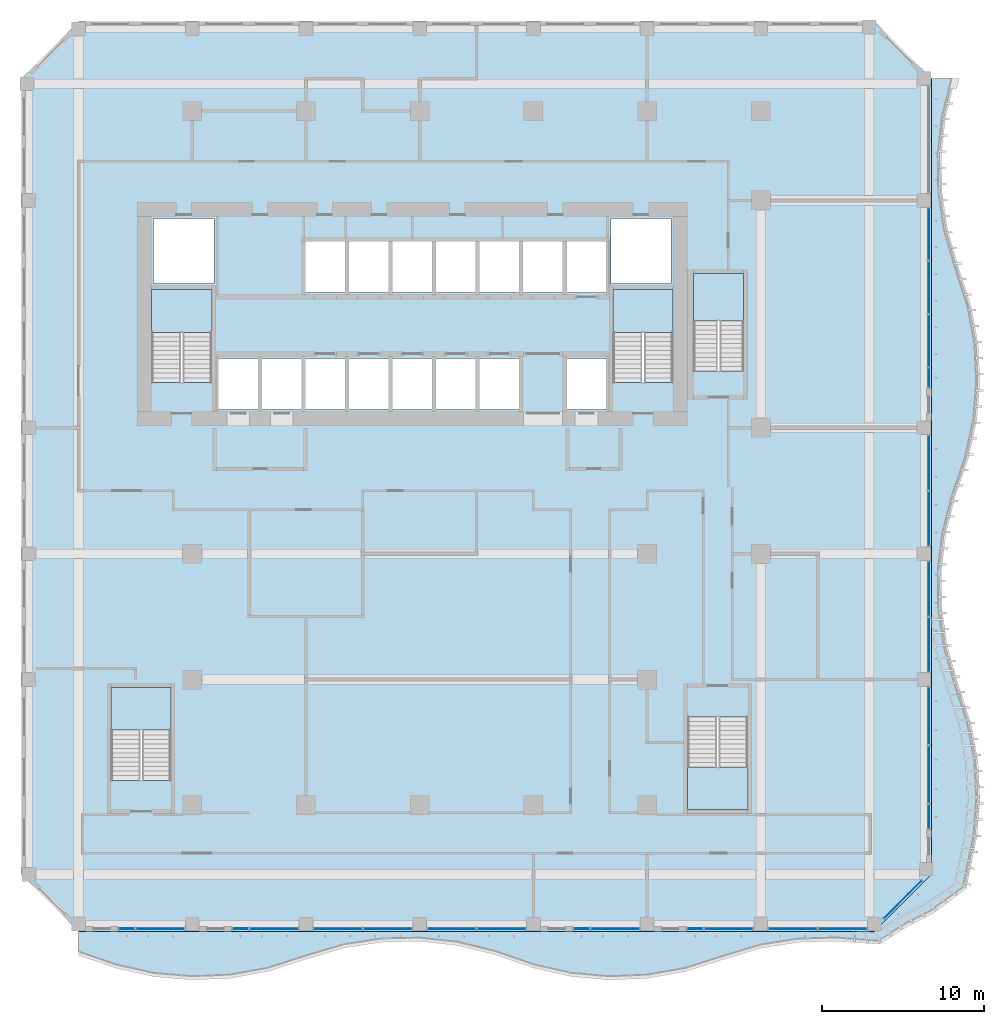
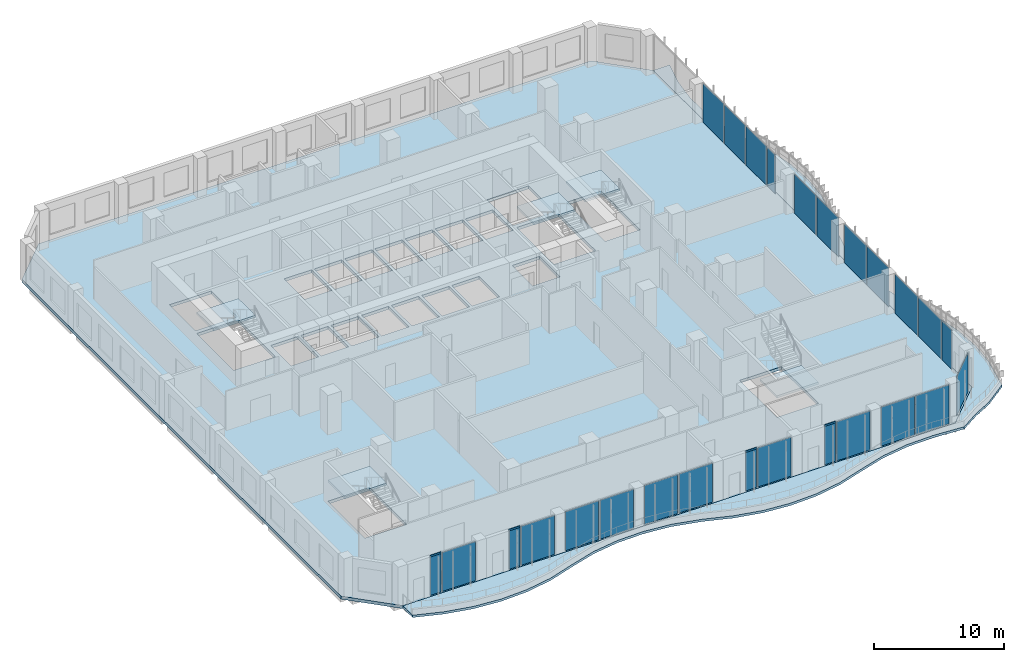
# One storey, part 11 of 26: 26 plates, 7 slabs, 4 members, 31 elements without a shape of their own.
"""IFC4 building model written with IfcOpenShell, lengths in metres."""

from ifc_helpers import new_model, si_unit, direction, frame, origin, origin_2d, place, context, subcontext, project, spatial, polyline, rectangle, outline, extrude, source, transform, mapped, material, layer, layer_set, material_profile, profile_set, type_object, element, aggregate, save


model = new_model("IFC4")

# Units and contexts
model_context = context("Model", 3, precision=1e-05, world=origin(), true_north=direction((0.0, 1.0)))
body_context = subcontext(model_context, "Body", "Model", "MODEL_VIEW")
ifc_project = project(units=[si_unit("LENGTHUNIT", "METRE"), si_unit("AREAUNIT", "SQUARE_METRE"), si_unit("VOLUMEUNIT", "CUBIC_METRE"), si_unit("PLANEANGLEUNIT", "RADIAN"), si_unit("MASSUNIT", "GRAM", prefix="KILO")], contexts=[model_context])

# Site, building, storey
site_placement = place(None, origin())
site = spatial("IfcSite", under=ifc_project, at=site_placement, CompositionType="ELEMENT")
building_placement = place(site_placement, origin())
building = spatial("IfcBuilding", under=site, at=building_placement, Name="Kilnfold Tower and Market Hall", CompositionType="ELEMENT")
storey_placement = place(building_placement, frame((0.0, 0.0, 104.60009765625)))
storey = spatial("IfcBuildingStorey", under=building, at=storey_placement, Name="L24", CompositionType="ELEMENT", Elevation=104.60009765625)

# Curtain wall, member
ifc_material_1 = material(Name="Aluminium and double glazing", Category="aluminium")
curtain_wall_type = type_object("IfcCurtainWallType", Name="CW OF2 VALLEY GLAZING", PredefinedType="NOTDEFINED", material=ifc_material_1)
curtain_wall_1_placement = place(storey_placement, origin())
curtain_wall_1 = element("IfcCurtainWall", 1, at=curtain_wall_1_placement, inside=storey, type_object=curtain_wall_type, Name="Curtain wall CW2 L24 S", PredefinedType="NOTDEFINED")
ifc_material_2 = material(Name="Aluminium", Category="aluminium")
ifc_material_profile = material_profile(ifc_material_2, rectangle(XDim=0.06005859375, YDim=0.159912109375, at=origin_2d()), Name="TRANSOM 60x160")
ifc_profile_set = profile_set([ifc_material_profile], Name="Aluminium")
member_type = type_object("IfcMemberType", Name="TRANSOM 60X160", PredefinedType="USERDEFINED", material=ifc_profile_set)
shared_shape_1 = source(origin(), body_context, "Body", "SweptSolid", [
    extrude(rectangle(XDim=0.06005859375, YDim=0.159912109375, at=origin_2d()), origin(), (0.0, 0.0, 1.0), 0.954833984375),
])
member_1_placement = place(storey_placement, frame((-17.014892578125, -22.85009765625, 3.68994140625), z_axis=(1.0, 0.0, 0.0), x_axis=(0.0, 1.0, 0.0)))
member_1 = element("IfcMember", 2, at=member_1_placement, type_object=member_type, Name="CW2 transom 1.2", ObjectType="TRANSOM", PredefinedType="USERDEFINED", context=body_context, shape_type="MappedRepresentation", body=[
    mapped(shared_shape_1, transform((0.0, 0.0, 0.0))),
])

curtain_wall_2_placement = place(storey_placement, origin())
curtain_wall_2 = element("IfcCurtainWall", 3, at=curtain_wall_2_placement, inside=storey, type_object=curtain_wall_type, Name="Curtain wall CW2 L24 S", PredefinedType="NOTDEFINED")
member_2_placement = place(storey_placement, frame((-10.014892578125, -22.85009765625, 3.68994140625), z_axis=(1.0, 0.0, 0.0), x_axis=(0.0, 1.0, 0.0)))
member_2 = element("IfcMember", 4, at=member_2_placement, type_object=member_type, Name="CW2 transom 1.2", ObjectType="TRANSOM", PredefinedType="USERDEFINED", context=body_context, shape_type="MappedRepresentation", body=[
    mapped(shared_shape_1, transform((0.0, 0.0, 0.0))),
])

curtain_wall_3_placement = place(storey_placement, origin())
curtain_wall_3 = element("IfcCurtainWall", 5, at=curtain_wall_3_placement, inside=storey, type_object=curtain_wall_type, Name="Curtain wall CW2 L24 S", PredefinedType="NOTDEFINED")
member_3_placement = place(storey_placement, frame((10.985107421875, -22.85009765625, 3.68994140625), z_axis=(1.0, 0.0, 0.0), x_axis=(0.0, 1.0, 0.0)))
member_3 = element("IfcMember", 6, at=member_3_placement, type_object=member_type, Name="CW2 transom 1.2", ObjectType="TRANSOM", PredefinedType="USERDEFINED", context=body_context, shape_type="MappedRepresentation", body=[
    mapped(shared_shape_1, transform((0.0, 0.0, 0.0))),
])

curtain_wall_4_placement = place(storey_placement, origin())
curtain_wall_4 = element("IfcCurtainWall", 7, at=curtain_wall_4_placement, inside=storey, type_object=curtain_wall_type, Name="Curtain wall CW2 L24 S", PredefinedType="NOTDEFINED")
member_4_placement = place(storey_placement, frame((17.985107421875, -22.85009765625, 3.68994140625), z_axis=(1.0, 0.0, 0.0), x_axis=(0.0, 1.0, 0.0)))
member_4 = element("IfcMember", 8, at=member_4_placement, type_object=member_type, Name="CW2 transom 1.2", ObjectType="TRANSOM", PredefinedType="USERDEFINED", context=body_context, shape_type="MappedRepresentation", body=[
    mapped(shared_shape_1, transform((0.0, 0.0, 0.0))),
])

# Slab
ifc_material_3 = material(Name="Concrete C45", Category="concrete")
ifc_layer_1 = layer(ifc_material_3, 0.280029296875)
ifc_layer_set_1 = layer_set([ifc_layer_1], Name="Concrete C45")
slab_type_1 = type_object("IfcSlabType", Name="FLOOR SLAB 280", PredefinedType="FLOOR", material=ifc_layer_set_1)
shared_shape_2 = source(origin(), body_context, "Body", "SweptSolid", [
    extrude(outline(polyline([(-19.5, -23.0), (29.5, -23.0), (33.0, -19.5), (33.0, 29.5), (29.5, 33.0), (-19.5, 33.0), (-23.0, 29.5), (-23.0, -19.5), (-19.5, -23.0)]), holes=[polyline([(-13.800537109375, -13.699462890625), (-17.49951171875, -13.699462890625), (-17.49951171875, -8.00048828125), (-13.800537109375, -8.00048828125), (-13.800537109375, -13.699462890625)]), polyline([(-14.99951171875, 10.800537109375), (-14.99951171875, 16.49951171875), (-11.300537109375, 16.49951171875), (-11.300537109375, 10.800537109375), (-14.99951171875, 10.800537109375)]), polyline([(-14.875, 16.875), (-14.875, 20.875), (-11.175048828125, 20.875), (-11.175048828125, 16.875), (-14.875, 16.875)]), polyline([(-8.455078125, 9.125), (-10.885009765625, 9.125), (-10.885009765625, 12.27490234375), (-8.455078125, 12.27490234375), (-8.455078125, 9.125)]), polyline([(-5.77490234375, 9.125), (-8.205078125, 9.125), (-8.205078125, 12.27490234375), (-5.77490234375, 12.27490234375), (-5.77490234375, 9.125)]), polyline([(-5.52490234375, 9.125), (-5.52490234375, 12.27490234375), (-3.094970703125, 12.27490234375), (-3.094970703125, 9.125), (-5.52490234375, 9.125)]), polyline([(-5.52490234375, 16.324951171875), (-5.52490234375, 19.47509765625), (-3.094970703125, 19.47509765625), (-3.094970703125, 16.324951171875), (-5.52490234375, 16.324951171875)]), polyline([(-2.844970703125, 9.125), (-2.844970703125, 12.27490234375), (-0.4150390625, 12.27490234375), (-0.4150390625, 9.125), (-2.844970703125, 9.125)]), polyline([(-0.4150390625, 16.324951171875), (-2.844970703125, 16.324951171875), (-2.844970703125, 19.47509765625), (-0.4150390625, 19.47509765625), (-0.4150390625, 16.324951171875)]), polyline([(2.264892578125, 9.125), (-0.1650390625, 9.125), (-0.1650390625, 12.27490234375), (2.264892578125, 12.27490234375), (2.264892578125, 9.125)]), polyline([(-0.1650390625, 16.324951171875), (-0.1650390625, 19.47509765625), (2.264892578125, 19.47509765625), (2.264892578125, 16.324951171875), (-0.1650390625, 16.324951171875)]), polyline([(4.945068359375, 9.125), (2.514892578125, 9.125), (2.514892578125, 12.27490234375), (4.945068359375, 12.27490234375), (4.945068359375, 9.125)]), polyline([(2.514892578125, 16.324951171875), (2.514892578125, 19.47509765625), (4.945068359375, 19.47509765625), (4.945068359375, 16.324951171875), (2.514892578125, 16.324951171875)]), polyline([(7.625, 9.125), (5.195068359375, 9.125), (5.195068359375, 12.27490234375), (7.625, 12.27490234375), (7.625, 9.125)]), polyline([(5.195068359375, 16.324951171875), (5.195068359375, 19.47509765625), (7.625, 19.47509765625), (7.625, 16.324951171875), (5.195068359375, 16.324951171875)]), polyline([(10.304931640625, 16.324951171875), (7.875, 16.324951171875), (7.875, 19.47509765625), (10.304931640625, 19.47509765625), (10.304931640625, 16.324951171875)]), polyline([(10.554931640625, 9.125), (10.554931640625, 12.27490234375), (12.985107421875, 12.27490234375), (12.985107421875, 9.125), (10.554931640625, 9.125)]), polyline([(10.554931640625, 16.324951171875), (10.554931640625, 19.47509765625), (12.985107421875, 19.47509765625), (12.985107421875, 16.324951171875), (10.554931640625, 16.324951171875)]), polyline([(13.27490234375, 16.875), (13.27490234375, 20.875), (16.97509765625, 20.875), (16.97509765625, 16.875), (13.27490234375, 16.875)]), polyline([(13.400390625, 10.800537109375), (13.400390625, 16.49951171875), (17.099609375, 16.49951171875), (17.099609375, 10.800537109375), (13.400390625, 10.800537109375)]), polyline([(18.00048828125, -9.800537109375), (21.699462890625, -9.800537109375), (21.699462890625, -15.49951171875), (18.00048828125, -15.49951171875), (18.00048828125, -9.800537109375)]), polyline([(21.449462890625, 11.50048828125), (18.3505859375, 11.50048828125), (18.3505859375, 17.49951171875), (21.449462890625, 17.49951171875), (21.449462890625, 11.50048828125)])]), origin(), (0.0, 0.0, 1.0), 0.280029296875),
])
slab_1_placement = place(storey_placement, frame((0.0, 0.0, -0.280029296875)))
element("IfcSlab", 9, at=slab_1_placement, inside=storey, type_object=slab_type_1, Name="Floor slab L24", PredefinedType="FLOOR", context=body_context, shape_type="MappedRepresentation", body=[
    mapped(shared_shape_2, transform((0.0, 0.0, 0.0))),
])

# Plate
ifc_material_4 = material(Name="Double glazed unit")
ifc_layer_2 = layer(ifc_material_4, 0.031982421875)
ifc_layer_set_2 = layer_set([ifc_layer_2], Name="Double glazed unit")
plate_type = type_object("IfcPlateType", Name="GLAZING PANEL 32", PredefinedType="CURTAIN_PANEL", material=ifc_layer_set_2)
shared_shape_3 = source(origin(), body_context, "Body", "SweptSolid", [
    extrude(rectangle(XDim=0.955078125, YDim=0.031982421875, at=origin_2d()), origin(), (0.0, 0.0, 1.0), 3.659912109375),
])
plate_1_placement = place(storey_placement, frame((-16.53759765625, -22.85009765625, 0.0), z_axis=(0.0, 0.0, 1.0), x_axis=(1.0, 0.0, 0.0)))
plate_1 = element("IfcPlate", 10, at=plate_1_placement, type_object=plate_type, Name="CW2 panel 1.1", PredefinedType="CURTAIN_PANEL", context=body_context, shape_type="MappedRepresentation", body=[
    mapped(shared_shape_3, transform((0.0, 0.0, 0.0))),
])

aggregate(curtain_wall_1, [member_1, plate_1])

plate_2_placement = place(storey_placement, frame((-9.53759765625, -22.85009765625, 0.0), z_axis=(0.0, 0.0, 1.0), x_axis=(1.0, 0.0, 0.0)))
plate_2 = element("IfcPlate", 11, at=plate_2_placement, type_object=plate_type, Name="CW2 panel 1.1", PredefinedType="CURTAIN_PANEL", context=body_context, shape_type="MappedRepresentation", body=[
    mapped(shared_shape_3, transform((0.0, 0.0, 0.0))),
])

aggregate(curtain_wall_2, [member_2, plate_2])

plate_3_placement = place(storey_placement, frame((11.46240234375, -22.85009765625, 0.0), z_axis=(0.0, 0.0, 1.0), x_axis=(1.0, 0.0, 0.0)))
plate_3 = element("IfcPlate", 12, at=plate_3_placement, type_object=plate_type, Name="CW2 panel 1.1", PredefinedType="CURTAIN_PANEL", context=body_context, shape_type="MappedRepresentation", body=[
    mapped(shared_shape_3, transform((0.0, 0.0, 0.0))),
])

aggregate(curtain_wall_3, [member_3, plate_3])

plate_4_placement = place(storey_placement, frame((18.46240234375, -22.85009765625, 0.0), z_axis=(0.0, 0.0, 1.0), x_axis=(1.0, 0.0, 0.0)))
plate_4 = element("IfcPlate", 13, at=plate_4_placement, type_object=plate_type, Name="CW2 panel 1.1", PredefinedType="CURTAIN_PANEL", context=body_context, shape_type="MappedRepresentation", body=[
    mapped(shared_shape_3, transform((0.0, 0.0, 0.0))),
])

aggregate(curtain_wall_4, [member_4, plate_4])

# Curtain wall, plate
curtain_wall_5_placement = place(storey_placement, origin())
curtain_wall_5 = element("IfcCurtainWall", 14, at=curtain_wall_5_placement, inside=storey, type_object=curtain_wall_type, Name="Curtain wall CW2 L24 S", PredefinedType="NOTDEFINED")
shared_shape_4 = source(origin(), body_context, "Body", "SweptSolid", [
    extrude(rectangle(XDim=2.955078125, YDim=0.031982421875, at=origin_2d()), origin(), (0.0, 0.0, 1.0), 3.659912109375),
])
plate_5_placement = place(storey_placement, frame((-14.46240234375, -22.85009765625, 0.0), z_axis=(0.0, 0.0, 1.0), x_axis=(1.0, 0.0, 0.0)))
plate_5 = element("IfcPlate", 15, at=plate_5_placement, type_object=plate_type, Name="CW2 panel 1.1", PredefinedType="CURTAIN_PANEL", context=body_context, shape_type="MappedRepresentation", body=[
    mapped(shared_shape_4, transform((0.0, 0.0, 0.0))),
])
aggregate(curtain_wall_5, [plate_5])

curtain_wall_6_placement = place(storey_placement, origin())
curtain_wall_6 = element("IfcCurtainWall", 16, at=curtain_wall_6_placement, inside=storey, type_object=curtain_wall_type, Name="Curtain wall CW2 L24 S", PredefinedType="NOTDEFINED")
plate_6_placement = place(storey_placement, frame((-7.46240234375, -22.85009765625, 0.0), z_axis=(0.0, 0.0, 1.0), x_axis=(1.0, 0.0, 0.0)))
plate_6 = element("IfcPlate", 17, at=plate_6_placement, type_object=plate_type, Name="CW2 panel 1.1", PredefinedType="CURTAIN_PANEL", context=body_context, shape_type="MappedRepresentation", body=[
    mapped(shared_shape_4, transform((0.0, 0.0, 0.0))),
])
aggregate(curtain_wall_6, [plate_6])

curtain_wall_7_placement = place(storey_placement, origin())
curtain_wall_7 = element("IfcCurtainWall", 18, at=curtain_wall_7_placement, inside=storey, type_object=curtain_wall_type, Name="Curtain wall CW2 L24 S", PredefinedType="NOTDEFINED")
plate_7_placement = place(storey_placement, frame((-3.53759765625, -22.85009765625, 0.0), z_axis=(0.0, 0.0, 1.0), x_axis=(1.0, 0.0, 0.0)))
plate_7 = element("IfcPlate", 19, at=plate_7_placement, type_object=plate_type, Name="CW2 panel 1.1", PredefinedType="CURTAIN_PANEL", context=body_context, shape_type="MappedRepresentation", body=[
    mapped(shared_shape_4, transform((0.0, 0.0, 0.0))),
])
aggregate(curtain_wall_7, [plate_7])

curtain_wall_8_placement = place(storey_placement, origin())
curtain_wall_8 = element("IfcCurtainWall", 20, at=curtain_wall_8_placement, inside=storey, type_object=curtain_wall_type, Name="Curtain wall CW2 L24 S", PredefinedType="NOTDEFINED")
plate_8_placement = place(storey_placement, frame((-0.46240234375, -22.85009765625, 0.0), z_axis=(0.0, 0.0, 1.0), x_axis=(1.0, 0.0, 0.0)))
plate_8 = element("IfcPlate", 21, at=plate_8_placement, type_object=plate_type, Name="CW2 panel 1.1", PredefinedType="CURTAIN_PANEL", context=body_context, shape_type="MappedRepresentation", body=[
    mapped(shared_shape_4, transform((0.0, 0.0, 0.0))),
])
aggregate(curtain_wall_8, [plate_8])

curtain_wall_9_placement = place(storey_placement, origin())
curtain_wall_9 = element("IfcCurtainWall", 22, at=curtain_wall_9_placement, inside=storey, type_object=curtain_wall_type, Name="Curtain wall CW2 L24 S", PredefinedType="NOTDEFINED")
plate_9_placement = place(storey_placement, frame((3.46240234375, -22.85009765625, 0.0), z_axis=(0.0, 0.0, 1.0), x_axis=(1.0, 0.0, 0.0)))
plate_9 = element("IfcPlate", 23, at=plate_9_placement, type_object=plate_type, Name="CW2 panel 1.1", PredefinedType="CURTAIN_PANEL", context=body_context, shape_type="MappedRepresentation", body=[
    mapped(shared_shape_4, transform((0.0, 0.0, 0.0))),
])
aggregate(curtain_wall_9, [plate_9])

curtain_wall_10_placement = place(storey_placement, origin())
curtain_wall_10 = element("IfcCurtainWall", 24, at=curtain_wall_10_placement, inside=storey, type_object=curtain_wall_type, Name="Curtain wall CW2 L24 S", PredefinedType="NOTDEFINED")
plate_10_placement = place(storey_placement, frame((6.53759765625, -22.85009765625, 0.0), z_axis=(0.0, 0.0, 1.0), x_axis=(1.0, 0.0, 0.0)))
plate_10 = element("IfcPlate", 25, at=plate_10_placement, type_object=plate_type, Name="CW2 panel 1.1", PredefinedType="CURTAIN_PANEL", context=body_context, shape_type="MappedRepresentation", body=[
    mapped(shared_shape_4, transform((0.0, 0.0, 0.0))),
])
aggregate(curtain_wall_10, [plate_10])

curtain_wall_11_placement = place(storey_placement, origin())
curtain_wall_11 = element("IfcCurtainWall", 26, at=curtain_wall_11_placement, inside=storey, type_object=curtain_wall_type, Name="Curtain wall CW2 L24 S", PredefinedType="NOTDEFINED")
plate_11_placement = place(storey_placement, frame((13.53759765625, -22.85009765625, 0.0), z_axis=(0.0, 0.0, 1.0), x_axis=(1.0, 0.0, 0.0)))
plate_11 = element("IfcPlate", 27, at=plate_11_placement, type_object=plate_type, Name="CW2 panel 1.1", PredefinedType="CURTAIN_PANEL", context=body_context, shape_type="MappedRepresentation", body=[
    mapped(shared_shape_4, transform((0.0, 0.0, 0.0))),
])
aggregate(curtain_wall_11, [plate_11])

curtain_wall_12_placement = place(storey_placement, origin())
curtain_wall_12 = element("IfcCurtainWall", 28, at=curtain_wall_12_placement, inside=storey, type_object=curtain_wall_type, Name="Curtain wall CW2 L24 S", PredefinedType="NOTDEFINED")
plate_12_placement = place(storey_placement, frame((20.53759765625, -22.85009765625, 0.0), z_axis=(0.0, 0.0, 1.0), x_axis=(1.0, 0.0, 0.0)))
plate_12 = element("IfcPlate", 29, at=plate_12_placement, type_object=plate_type, Name="CW2 panel 1.1", PredefinedType="CURTAIN_PANEL", context=body_context, shape_type="MappedRepresentation", body=[
    mapped(shared_shape_4, transform((0.0, 0.0, 0.0))),
])
aggregate(curtain_wall_12, [plate_12])

curtain_wall_13_placement = place(storey_placement, origin())
curtain_wall_13 = element("IfcCurtainWall", 30, at=curtain_wall_13_placement, inside=storey, type_object=curtain_wall_type, Name="Curtain wall CW2 L24 S", PredefinedType="NOTDEFINED")
plate_13_placement = place(storey_placement, frame((24.46240234375, -22.85009765625, 0.0), z_axis=(0.0, 0.0, 1.0), x_axis=(1.0, 0.0, 0.0)))
plate_13 = element("IfcPlate", 31, at=plate_13_placement, type_object=plate_type, Name="CW2 panel 1.1", PredefinedType="CURTAIN_PANEL", context=body_context, shape_type="MappedRepresentation", body=[
    mapped(shared_shape_4, transform((0.0, 0.0, 0.0))),
])
aggregate(curtain_wall_13, [plate_13])

curtain_wall_14_placement = place(storey_placement, origin())
curtain_wall_14 = element("IfcCurtainWall", 32, at=curtain_wall_14_placement, inside=storey, type_object=curtain_wall_type, Name="Curtain wall CW2 L24 S", PredefinedType="NOTDEFINED")
plate_14_placement = place(storey_placement, frame((27.53759765625, -22.85009765625, 0.0), z_axis=(0.0, 0.0, 1.0), x_axis=(1.0, 0.0, 0.0)))
plate_14 = element("IfcPlate", 33, at=plate_14_placement, type_object=plate_type, Name="CW2 panel 1.1", PredefinedType="CURTAIN_PANEL", context=body_context, shape_type="MappedRepresentation", body=[
    mapped(shared_shape_4, transform((0.0, 0.0, 0.0))),
])
aggregate(curtain_wall_14, [plate_14])

curtain_wall_15_placement = place(storey_placement, origin())
curtain_wall_15 = element("IfcCurtainWall", 34, at=curtain_wall_15_placement, inside=storey, type_object=curtain_wall_type, Name="Curtain wall CW2 L24 E", PredefinedType="NOTDEFINED")
shared_shape_5 = source(origin(), body_context, "Body", "SweptSolid", [
    extrude(rectangle(XDim=3.490478515625, YDim=0.031982421875, at=origin_2d()), origin(), (0.0, 0.0, 1.0), 3.659912109375),
])
plate_15_placement = place(storey_placement, frame((32.85009765625, -13.3408203125, 0.0), z_axis=(0.0, 0.0, 1.0), x_axis=(0.0, 1.0, 0.0)))
plate_15 = element("IfcPlate", 35, at=plate_15_placement, type_object=plate_type, Name="CW2 panel 1.1", PredefinedType="CURTAIN_PANEL", context=body_context, shape_type="MappedRepresentation", body=[
    mapped(shared_shape_5, transform((0.0, 0.0, 0.0))),
])
aggregate(curtain_wall_15, [plate_15])

curtain_wall_16_placement = place(storey_placement, origin())
curtain_wall_16 = element("IfcCurtainWall", 36, at=curtain_wall_16_placement, inside=storey, type_object=curtain_wall_type, Name="Curtain wall CW2 L24 E", PredefinedType="NOTDEFINED")
plate_16_placement = place(storey_placement, frame((32.85009765625, -9.730224609375, 0.0), z_axis=(0.0, 0.0, 1.0), x_axis=(0.0, 1.0, 0.0)))
plate_16 = element("IfcPlate", 37, at=plate_16_placement, type_object=plate_type, Name="CW2 panel 1.1", PredefinedType="CURTAIN_PANEL", context=body_context, shape_type="MappedRepresentation", body=[
    mapped(shared_shape_5, transform((0.0, 0.0, 0.0))),
])
aggregate(curtain_wall_16, [plate_16])

curtain_wall_17_placement = place(storey_placement, origin())
curtain_wall_17 = element("IfcCurtainWall", 38, at=curtain_wall_17_placement, inside=storey, type_object=curtain_wall_type, Name="Curtain wall CW2 L24 E", PredefinedType="NOTDEFINED")
shared_shape_6 = source(origin(), body_context, "Body", "SweptSolid", [
    extrude(rectangle(XDim=3.330078125, YDim=0.031982421875, at=origin_2d()), origin(), (0.0, 0.0, 1.0), 3.659912109375),
])
plate_17_placement = place(storey_placement, frame((32.85009765625, -5.35009765625, 0.0), z_axis=(0.0, 0.0, 1.0), x_axis=(0.0, 1.0, 0.0)))
plate_17 = element("IfcPlate", 39, at=plate_17_placement, type_object=plate_type, Name="CW2 panel 1.1", PredefinedType="CURTAIN_PANEL", context=body_context, shape_type="MappedRepresentation", body=[
    mapped(shared_shape_6, transform((0.0, 0.0, 0.0))),
])
aggregate(curtain_wall_17, [plate_17])

curtain_wall_18_placement = place(storey_placement, origin())
curtain_wall_18 = element("IfcCurtainWall", 40, at=curtain_wall_18_placement, inside=storey, type_object=curtain_wall_type, Name="Curtain wall CW2 L24 E", PredefinedType="NOTDEFINED")
plate_18_placement = place(storey_placement, frame((32.85009765625, -1.89990234375, 0.0), z_axis=(0.0, 0.0, 1.0), x_axis=(0.0, 1.0, 0.0)))
plate_18 = element("IfcPlate", 41, at=plate_18_placement, type_object=plate_type, Name="CW2 panel 1.1", PredefinedType="CURTAIN_PANEL", context=body_context, shape_type="MappedRepresentation", body=[
    mapped(shared_shape_6, transform((0.0, 0.0, 0.0))),
])
aggregate(curtain_wall_18, [plate_18])

curtain_wall_19_placement = place(storey_placement, origin())
curtain_wall_19 = element("IfcCurtainWall", 42, at=curtain_wall_19_placement, inside=storey, type_object=curtain_wall_type, Name="Curtain wall CW2 L24 E", PredefinedType="NOTDEFINED")
plate_19_placement = place(storey_placement, frame((32.85009765625, 2.39990234375, 0.0), z_axis=(0.0, 0.0, 1.0), x_axis=(0.0, 1.0, 0.0)))
plate_19 = element("IfcPlate", 43, at=plate_19_placement, type_object=plate_type, Name="CW2 panel 1.1", PredefinedType="CURTAIN_PANEL", context=body_context, shape_type="MappedRepresentation", body=[
    mapped(shared_shape_6, transform((0.0, 0.0, 0.0))),
])
aggregate(curtain_wall_19, [plate_19])

curtain_wall_20_placement = place(storey_placement, origin())
curtain_wall_20 = element("IfcCurtainWall", 44, at=curtain_wall_20_placement, inside=storey, type_object=curtain_wall_type, Name="Curtain wall CW2 L24 E", PredefinedType="NOTDEFINED")
plate_20_placement = place(storey_placement, frame((32.85009765625, 5.85009765625, 0.0), z_axis=(0.0, 0.0, 1.0), x_axis=(0.0, 1.0, 0.0)))
plate_20 = element("IfcPlate", 45, at=plate_20_placement, type_object=plate_type, Name="CW2 panel 1.1", PredefinedType="CURTAIN_PANEL", context=body_context, shape_type="MappedRepresentation", body=[
    mapped(shared_shape_6, transform((0.0, 0.0, 0.0))),
])
aggregate(curtain_wall_20, [plate_20])

curtain_wall_21_placement = place(storey_placement, origin())
curtain_wall_21 = element("IfcCurtainWall", 46, at=curtain_wall_21_placement, inside=storey, type_object=curtain_wall_type, Name="Curtain wall CW2 L24 E", PredefinedType="NOTDEFINED")
shared_shape_7 = source(origin(), body_context, "Body", "SweptSolid", [
    extrude(rectangle(XDim=3.16748046875, YDim=0.031982421875, at=origin_2d()), origin(), (0.0, 0.0, 1.0), 3.659912109375),
])
plate_21_placement = place(storey_placement, frame((32.85009765625, 13.356201171875, 0.0), z_axis=(0.0, 0.0, 1.0), x_axis=(0.0, 1.0, 0.0)))
plate_21 = element("IfcPlate", 47, at=plate_21_placement, type_object=plate_type, Name="CW2 panel 1.1", PredefinedType="CURTAIN_PANEL", context=body_context, shape_type="MappedRepresentation", body=[
    mapped(shared_shape_7, transform((0.0, 0.0, 0.0))),
])
aggregate(curtain_wall_21, [plate_21])

curtain_wall_22_placement = place(storey_placement, origin())
curtain_wall_22 = element("IfcCurtainWall", 48, at=curtain_wall_22_placement, inside=storey, type_object=curtain_wall_type, Name="Curtain wall CW2 L24 E", PredefinedType="NOTDEFINED")
plate_22_placement = place(storey_placement, frame((32.85009765625, 16.643798828125, 0.0), z_axis=(0.0, 0.0, 1.0), x_axis=(0.0, 1.0, 0.0)))
plate_22 = element("IfcPlate", 49, at=plate_22_placement, type_object=plate_type, Name="CW2 panel 1.1", PredefinedType="CURTAIN_PANEL", context=body_context, shape_type="MappedRepresentation", body=[
    mapped(shared_shape_7, transform((0.0, 0.0, 0.0))),
])
aggregate(curtain_wall_22, [plate_22])

curtain_wall_23_placement = place(storey_placement, origin())
curtain_wall_23 = element("IfcCurtainWall", 50, at=curtain_wall_23_placement, inside=storey, type_object=curtain_wall_type, Name="Curtain wall CW2 L24 E", PredefinedType="NOTDEFINED")
plate_23_placement = place(storey_placement, frame((32.85009765625, 19.93115234375, 0.0), z_axis=(0.0, 0.0, 1.0), x_axis=(0.0, 1.0, 0.0)))
plate_23 = element("IfcPlate", 51, at=plate_23_placement, type_object=plate_type, Name="CW2 panel 1.1", PredefinedType="CURTAIN_PANEL", context=body_context, shape_type="MappedRepresentation", body=[
    mapped(shared_shape_7, transform((0.0, 0.0, 0.0))),
])
aggregate(curtain_wall_23, [plate_23])

curtain_wall_24_placement = place(storey_placement, origin())
curtain_wall_24 = element("IfcCurtainWall", 52, at=curtain_wall_24_placement, inside=storey, type_object=curtain_wall_type, Name="Curtain wall CW2 L24 SE", PredefinedType="NOTDEFINED")
shared_shape_8 = source(origin(), body_context, "Body", "SweptSolid", [
    extrude(rectangle(XDim=3.3095703125, YDim=0.031982421875, at=origin_2d()), origin(), (0.0, 0.0, 1.0), 3.659912109375),
])
plate_24_placement = place(storey_placement, frame((31.25634765625, -21.031494140625, 0.0), z_axis=(0.0, 0.0, 1.0), x_axis=(0.707092201815, 0.707121360258, 0.0)))
plate_24 = element("IfcPlate", 53, at=plate_24_placement, type_object=plate_type, Name="CW2 panel 1.1", PredefinedType="CURTAIN_PANEL", context=body_context, shape_type="MappedRepresentation", body=[
    mapped(shared_shape_8, transform((0.0, 0.0, 0.0))),
])
aggregate(curtain_wall_24, [plate_24])

curtain_wall_25_placement = place(storey_placement, origin())
curtain_wall_25 = element("IfcCurtainWall", 54, at=curtain_wall_25_placement, inside=storey, type_object=curtain_wall_type, Name="Curtain wall CW2 L24 E", PredefinedType="NOTDEFINED")
shared_shape_9 = source(origin(), body_context, "Body", "SweptSolid", [
    extrude(rectangle(XDim=1.490478515625, YDim=0.031982421875, at=origin_2d()), origin(), (0.0, 0.0, 1.0), 3.659912109375),
])
plate_25_placement = place(storey_placement, frame((32.85009765625, -15.951416015625, 0.0), z_axis=(0.0, 0.0, 1.0), x_axis=(0.0, 1.0, 0.0)))
plate_25 = element("IfcPlate", 55, at=plate_25_placement, type_object=plate_type, Name="CW2 panel 1.1", PredefinedType="CURTAIN_PANEL", context=body_context, shape_type="MappedRepresentation", body=[
    mapped(shared_shape_9, transform((0.0, 0.0, 0.0))),
])
aggregate(curtain_wall_25, [plate_25])

curtain_wall_26_placement = place(storey_placement, origin())
curtain_wall_26 = element("IfcCurtainWall", 56, at=curtain_wall_26_placement, inside=storey, type_object=curtain_wall_type, Name="Curtain wall CW2 L24 E", PredefinedType="NOTDEFINED")
shared_shape_10 = source(origin(), body_context, "Body", "SweptSolid", [
    extrude(rectangle(XDim=1.16748046875, YDim=0.031982421875, at=origin_2d()), origin(), (0.0, 0.0, 1.0), 3.659912109375),
])
plate_26_placement = place(storey_placement, frame((32.85009765625, 11.06884765625, 0.0), z_axis=(0.0, 0.0, 1.0), x_axis=(0.0, 1.0, 0.0)))
plate_26 = element("IfcPlate", 57, at=plate_26_placement, type_object=plate_type, Name="CW2 panel 1.1", PredefinedType="CURTAIN_PANEL", context=body_context, shape_type="MappedRepresentation", body=[
    mapped(shared_shape_10, transform((0.0, 0.0, 0.0))),
])
aggregate(curtain_wall_26, [plate_26])

# Slab
ifc_material_5 = material(Name="Concrete C40/50", Category="concrete")
ifc_layer_3 = layer(ifc_material_5, 0.219970703125)
ifc_layer_set_3 = layer_set([ifc_layer_3], Name="Concrete C40/50")
slab_type_2 = type_object("IfcSlabType", Name="BALCONY SLAB 220", PredefinedType="FLOOR", material=ifc_layer_set_3)
shared_shape_11 = source(origin(), body_context, "Body", "SweptSolid", [
    extrude(outline(polyline([(-19.5, -23.0), (29.5, -23.0), (33.0, -19.5), (33.0, 29.5), (34.473388671875, 29.5), (33.885986328125, 27.166748046875), (33.6201171875, 24.833251953125), (33.661865234375, 22.5), (34.01318359375, 20.166748046875), (34.693359375, 17.833251953125), (35.453369140625, 15.5), (35.8818359375, 13.166748046875), (35.997802734375, 10.833251953125), (35.807373046875, 8.5), (35.300048828125, 6.166748046875), (34.49658203125, 3.833251953125), (33.898681640625, 1.5), (33.623779296875, -0.833251953125), (33.656005859375, -3.166748046875), (33.997802734375, -5.5), (34.66748046875, -7.833251953125), (35.435302734375, -10.166748046875), (35.87353515625, -12.5), (35.998779296875, -14.833251953125), (35.817626953125, -17.166748046875), (35.143798828125, -20.387939453125), (33.08056640625, -21.9140625), (31.534423828125, -22.701171875), (29.829345703125, -23.79541015625), (27.166748046875, -23.614013671875), (24.833251953125, -23.67431640625), (22.5, -24.044677734375), (20.166748046875, -24.74609375), (17.833251953125, -25.488525390625), (15.5, -25.897705078125), (13.166748046875, -25.9951171875), (10.833251953125, -25.78564453125), (8.5, -25.258544921875), (6.166748046875, -24.450439453125), (3.833251953125, -23.873291015625), (1.5, -23.616943359375), (-0.833251953125, -23.66796875), (-3.166748046875, -24.02880859375), (-5.5, -24.719482421875), (-7.833251953125, -25.47119140625), (-10.166748046875, -25.889892578125), (-12.5, -25.99658203125), (-14.833251953125, -25.796630859375), (-17.166748046875, -25.279541015625), (-19.5, -24.473388671875), (-19.5, -23.0)])), origin(), (0.0, 0.0, 1.0), 0.22021484375),
])
slab_2_placement = place(storey_placement, frame((0.0, 0.0, -0.22021484375)))
element("IfcSlab", 58, at=slab_2_placement, inside=storey, type_object=slab_type_2, Name="Balcony slab L24", PredefinedType="FLOOR", context=body_context, shape_type="MappedRepresentation", body=[
    mapped(shared_shape_11, transform((0.0, 0.0, 0.0))),
])

# Stair, slab
ifc_material_6 = material(Name="Concrete C40/50", Category="concrete")
stair_type_1 = type_object("IfcStairType", Name="CORE STAIR 1800", PredefinedType="HALF_TURN_STAIR", material=ifc_material_6)
stair_1_placement = place(storey_placement, origin())
stair_1 = element("IfcStair", 59, at=stair_1_placement, inside=storey, type_object=stair_type_1, Name="L24 ST1", PredefinedType="HALF_TURN_STAIR")
ifc_material_7 = material(Name="Concrete C40/50", Category="concrete")
ifc_layer_4 = layer(ifc_material_7, 0.199951171875)
ifc_layer_set_4 = layer_set([ifc_layer_4], Name="Concrete C40/50")
slab_type_3 = type_object("IfcSlabType", Name="CORE STAIR LANDING 200", PredefinedType="LANDING", material=ifc_layer_set_4)
shared_shape_12 = source(origin(), body_context, "Body", "SweptSolid", [
    extrude(outline(polyline([(-11.300048828125, 13.8798828125), (-11.300048828125, 16.5), (-15.0, 16.5), (-15.0, 13.8798828125), (-11.300048828125, 13.8798828125)])), origin(), (0.0, 0.0, 1.0), 0.2001953125),
])
slab_3_placement = place(storey_placement, frame((0.0, 0.0, 1.7998046875)))
slab_3 = element("IfcSlab", 60, at=slab_3_placement, type_object=slab_type_3, Name="ST1 landing 1", PredefinedType="LANDING", context=body_context, shape_type="MappedRepresentation", body=[
    mapped(shared_shape_12, transform((0.0, 0.0, 0.0))),
])
aggregate(stair_1, [slab_3])

stair_2_placement = place(storey_placement, origin())
stair_2 = element("IfcStair", 61, at=stair_2_placement, inside=storey, type_object=stair_type_1, Name="L24 ST2", PredefinedType="HALF_TURN_STAIR")
shared_shape_13 = source(origin(), body_context, "Body", "SweptSolid", [
    extrude(outline(polyline([(17.10009765625, 13.8798828125), (17.10009765625, 16.5), (13.39990234375, 16.5), (13.39990234375, 13.8798828125), (17.10009765625, 13.8798828125)])), origin(), (0.0, 0.0, 1.0), 0.2001953125),
])
slab_4_placement = place(storey_placement, frame((0.0, 0.0, 1.7998046875)))
slab_4 = element("IfcSlab", 62, at=slab_4_placement, type_object=slab_type_3, Name="ST2 landing 1", PredefinedType="LANDING", context=body_context, shape_type="MappedRepresentation", body=[
    mapped(shared_shape_13, transform((0.0, 0.0, 0.0))),
])
aggregate(stair_2, [slab_4])

stair_3_placement = place(storey_placement, origin())
stair_3 = element("IfcStair", 63, at=stair_3_placement, inside=storey, type_object=stair_type_1, Name="L24 ST3", PredefinedType="HALF_TURN_STAIR")
shared_shape_14 = source(origin(), body_context, "Body", "SweptSolid", [
    extrude(outline(polyline([(-13.800048828125, -10.6201171875), (-13.800048828125, -8.0), (-17.5, -8.0), (-17.5, -10.6201171875), (-13.800048828125, -10.6201171875)])), origin(), (0.0, 0.0, 1.0), 0.2001953125),
])
slab_5_placement = place(storey_placement, frame((0.0, 0.0, 1.7998046875)))
slab_5 = element("IfcSlab", 64, at=slab_5_placement, type_object=slab_type_3, Name="ST3 landing 1", PredefinedType="LANDING", context=body_context, shape_type="MappedRepresentation", body=[
    mapped(shared_shape_14, transform((0.0, 0.0, 0.0))),
])
aggregate(stair_3, [slab_5])

stair_4_placement = place(storey_placement, origin())
stair_4 = element("IfcStair", 65, at=stair_4_placement, inside=storey, type_object=stair_type_1, Name="L24 ST4", PredefinedType="HALF_TURN_STAIR")
shared_shape_15 = source(origin(), body_context, "Body", "SweptSolid", [
    extrude(outline(polyline([(18.0, -12.8798828125), (18.0, -15.5), (21.699951171875, -15.5), (21.699951171875, -12.8798828125), (18.0, -12.8798828125)])), origin(), (0.0, 0.0, 1.0), 0.2001953125),
])
slab_6_placement = place(storey_placement, frame((0.0, 0.0, 1.7998046875)))
slab_6 = element("IfcSlab", 66, at=slab_6_placement, type_object=slab_type_3, Name="ST4 landing 1", PredefinedType="LANDING", context=body_context, shape_type="MappedRepresentation", body=[
    mapped(shared_shape_15, transform((0.0, 0.0, 0.0))),
])
aggregate(stair_4, [slab_6])

ifc_material_8 = material(Name="Concrete C40/50", Category="concrete")
stair_type_2 = type_object("IfcStairType", Name="CORE STAIR 1500", PredefinedType="HALF_TURN_STAIR", material=ifc_material_8)
stair_5_placement = place(storey_placement, origin())
stair_5 = element("IfcStair", 67, at=stair_5_placement, inside=storey, type_object=stair_type_2, Name="L24 ST5", PredefinedType="HALF_TURN_STAIR")
shared_shape_16 = source(origin(), body_context, "Body", "SweptSolid", [
    extrude(outline(polyline([(21.449951171875, 14.580078125), (21.449951171875, 17.5), (18.35009765625, 17.5), (18.35009765625, 14.580078125), (21.449951171875, 14.580078125)])), origin(), (0.0, 0.0, 1.0), 0.2001953125),
])
slab_7_placement = place(storey_placement, frame((0.0, 0.0, 1.7998046875)))
slab_7 = element("IfcSlab", 68, at=slab_7_placement, type_object=slab_type_3, Name="ST5 landing 1", PredefinedType="LANDING", context=body_context, shape_type="MappedRepresentation", body=[
    mapped(shared_shape_16, transform((0.0, 0.0, 0.0))),
])
aggregate(stair_5, [slab_7])

save(model, "model.ifc")
